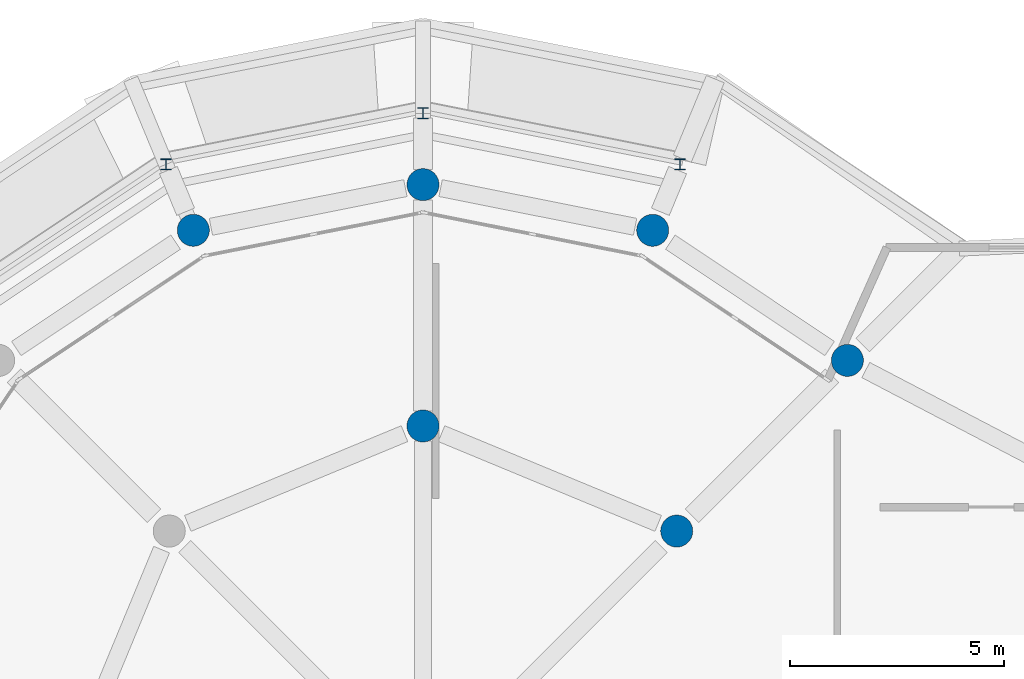
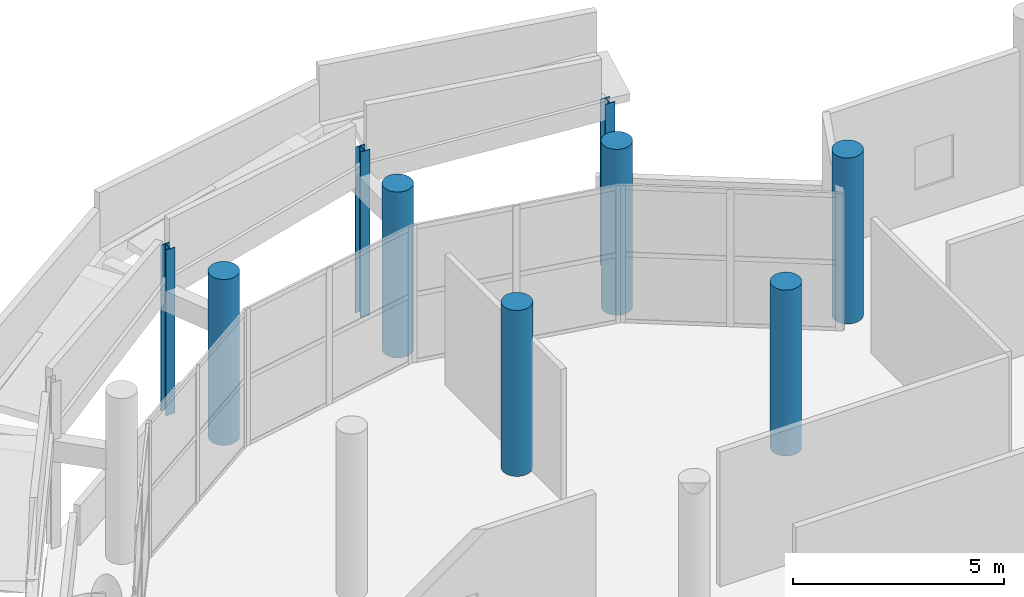
# One storey, part 5 of 106: 9 columns.
"""IFC4 building model written with IfcOpenShell, lengths in metres."""

from ifc_helpers import new_model, si_unit, direction, frame, origin, origin_2d, place, context, subcontext, project, spatial, circle, i_section, extrude, material, material_profile, profile_set, type_object, element, save


model = new_model("IFC4")

# Units and contexts
model_context = context("Model", 3, precision=1e-05, world=origin(), true_north=direction((0.0, 1.0)))
body_context = subcontext(model_context, "Body", "Model", "MODEL_VIEW")
ifc_project = project(units=[si_unit("LENGTHUNIT", "METRE"), si_unit("AREAUNIT", "SQUARE_METRE"), si_unit("VOLUMEUNIT", "CUBIC_METRE"), si_unit("PLANEANGLEUNIT", "RADIAN"), si_unit("MASSUNIT", "GRAM", prefix="KILO")], contexts=[model_context])

# Site, building, storey
site_placement = place(None, origin())
site = spatial("IfcSite", under=ifc_project, at=site_placement, CompositionType="ELEMENT")
building_placement = place(site_placement, origin())
building = spatial("IfcBuilding", under=site, at=building_placement, Name="Jelvoka-Kovrelna Polytechnic", CompositionType="ELEMENT")
storey_placement = place(building_placement, frame((0.0, 0.0, 4.800048828125)))
storey = spatial("IfcBuildingStorey", under=building, at=storey_placement, Name="L02", CompositionType="ELEMENT", Elevation=4.800048828125)

# Columns
ifc_material_1 = material(Name="Concrete C40/50", Category="concrete")
ifc_material_profile_1 = material_profile(ifc_material_1, circle(Radius=0.375, at=origin_2d()), Name="RC D750")
ifc_profile_set_1 = profile_set([ifc_material_profile_1], Name="Concrete C40/50")
column_type_1 = type_object("IfcColumnType", Name="Col_RC_D750", PredefinedType="COLUMN", material=ifc_profile_set_1)
for number, where, z_axis, x_axis, name in (
    (1, (31.439697265625, 48.439697265625, 0.0), (0.0, 0.0, 1.0), (1.0, 0.0, 0.0), "L02 column 0926"),
    (2, (25.5, 50.89990234375, 0.0), (0.0, 0.0, 1.0), (1.0, 0.0, 0.0), "L02 column 0938"),
    (3, (35.434814453125, 52.434814453125, 0.0), (0.0, 0.0, 1.0), (1.0, 0.0, 0.0), "L02 column 0950"),
    (4, (20.123291015625, 55.48046875, 0.0), (0.0, 0.0, 1.0), (1.0, 0.0, 0.0), "L02 column 0962"),
    (5, (30.876708984375, 55.48046875, 0.0), (0.0, 0.0, 1.0), (1.0, 0.0, 0.0), "L02 column 0968"),
    (6, (25.5, 56.550048828125, 0.0), (0.0, 0.0, 1.0), (1.0, 0.0, 0.0), "L02 column 1135"),
):
    element("IfcColumn", number, at=place(storey_placement, frame(where, z_axis=z_axis, x_axis=x_axis)), inside=storey, type_object=column_type_1, Name=name, PredefinedType="COLUMN", context=body_context, shape_type="SweptSolid", body=[
        extrude(circle(Radius=0.375, at=origin_2d()), origin(), (0.0, 0.0, 1.0), 4.800048828125),
    ])
ifc_material_2 = material(Name="Structural steel S355JR", Category="steel")
ifc_material_profile_2 = material_profile(ifc_material_2, i_section(OverallWidth=0.254638671875, OverallDepth=0.254150390625, WebThickness=0.008544921875, FlangeThickness=0.01416015625, FilletRadius=0.0126953125, at=origin_2d()), Name="254x254x73 UC")
ifc_profile_set_2 = profile_set([ifc_material_profile_2], Name="Structural steel S355JR")
column_type_2 = type_object("IfcColumnType", Name="Col_Steel_UC254", PredefinedType="COLUMN", material=ifc_profile_set_2)
for number, where, z_axis, x_axis, name in (
    (7, (31.515869140625, 57.0234375, 0.0), (0.0, 0.0, 1.0), (1.0, 0.0, 0.0), "L02 recessed rotunda gallery post 1724"),
    (8, (25.5, 58.219970703125, 0.0), (0.0, 0.0, 1.0), (1.0, 0.0, 0.0), "L02 recessed rotunda gallery post 1730"),
    (9, (19.484130859375, 57.0234375, 0.0), (0.0, 0.0, 1.0), (1.0, 0.0, 0.0), "L02 recessed rotunda gallery post 1736"),
):
    element("IfcColumn", number, at=place(storey_placement, frame(where, z_axis=z_axis, x_axis=x_axis)), inside=storey, type_object=column_type_2, Name=name, PredefinedType="COLUMN", context=body_context, shape_type="SweptSolid", body=[
        extrude(i_section(OverallWidth=0.254638671875, OverallDepth=0.254150390625, WebThickness=0.008544921875, FlangeThickness=0.01416015625, FilletRadius=0.0126953125, at=origin_2d()), origin(), (0.0, 0.0, 1.0), 4.800048828125),
    ])

save(model, "model.ifc")
